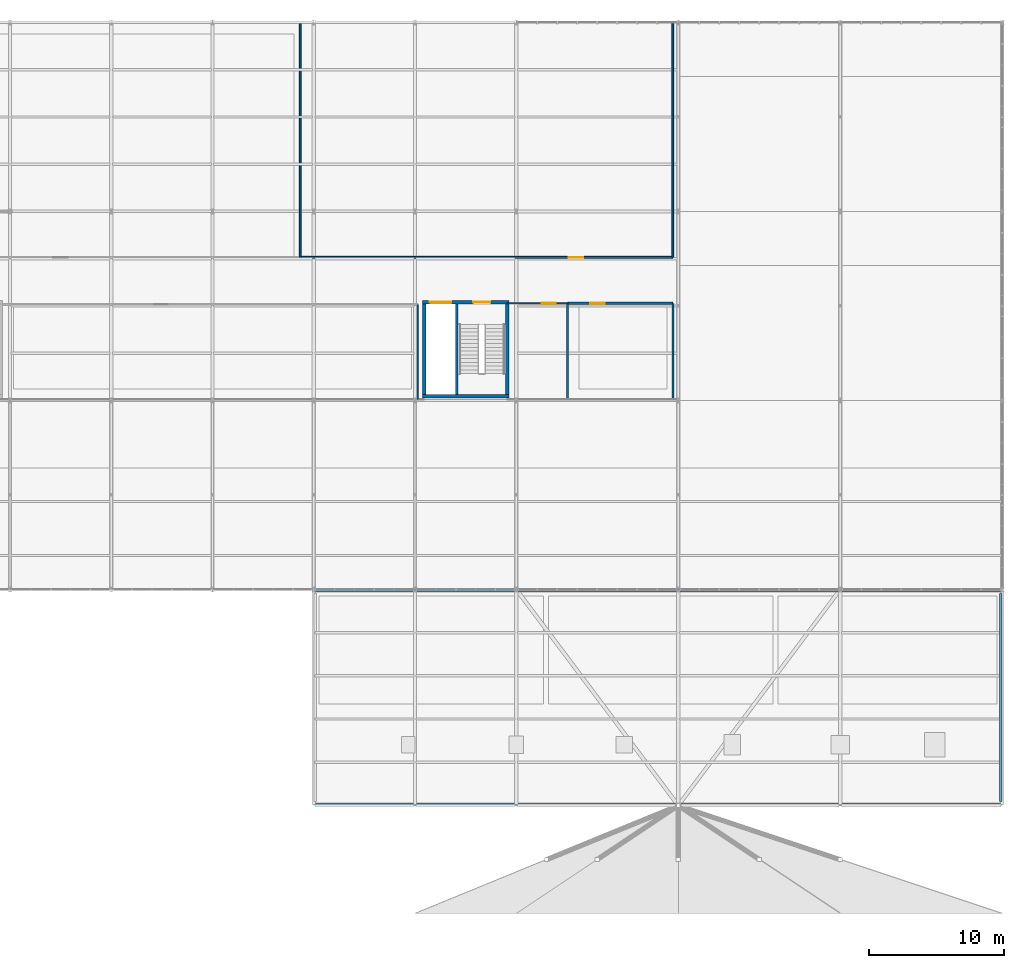
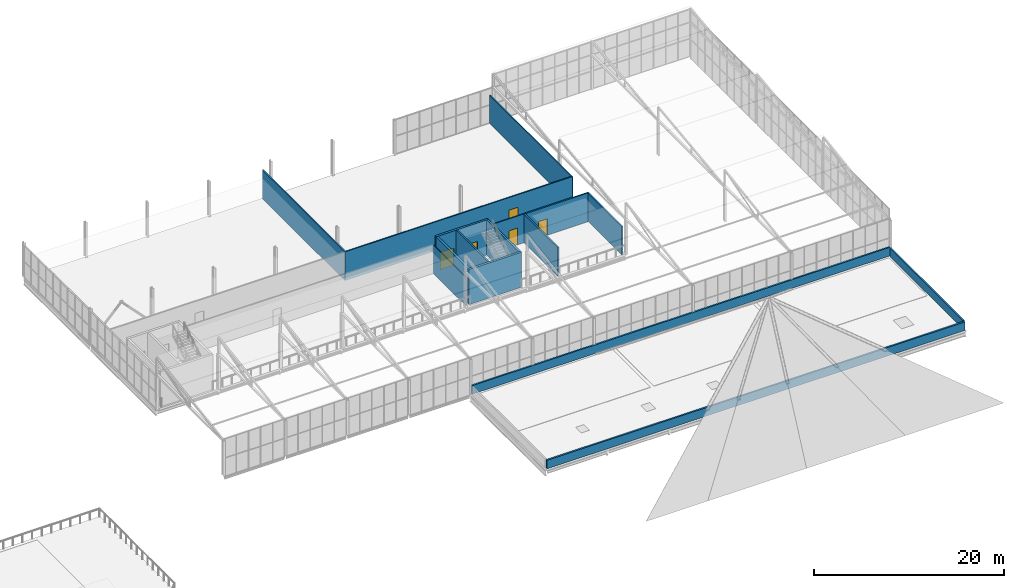
# One storey, part 98 of 104: 16 walls, 5 doors, 5 openings.
"""IFC4 building model written with IfcOpenShell, lengths in metres."""

from ifc_helpers import new_model, si_unit, direction, frame, frame_2d, origin, place, context, subcontext, project, spatial, rectangle, extrude, material, layer, layer_set, type_object, element, fill, save


model = new_model("IFC4")

# Units and contexts
model_context = context("Model", 3, precision=1e-05, world=origin(), true_north=direction((0.0, 1.0)))
body_context = subcontext(model_context, "Body", "Model", "MODEL_VIEW")
ifc_project = project(units=[si_unit("LENGTHUNIT", "METRE"), si_unit("AREAUNIT", "SQUARE_METRE"), si_unit("VOLUMEUNIT", "CUBIC_METRE"), si_unit("PLANEANGLEUNIT", "RADIAN"), si_unit("MASSUNIT", "GRAM", prefix="KILO")], contexts=[model_context])

# Site, building, storey
site_placement = place(None, origin())
site = spatial("IfcSite", under=ifc_project, at=site_placement, CompositionType="ELEMENT")
building_placement = place(site_placement, origin())
building = spatial("IfcBuilding", under=site, at=building_placement, Name="Solvenia Promenade Tram Depot", CompositionType="ELEMENT")
storey_placement = place(building_placement, frame((0.0, 0.0, 9.0)))
storey = spatial("IfcBuildingStorey", under=building, at=storey_placement, Name="L02", CompositionType="ELEMENT", Elevation=9.0)

# Wall
ifc_material_1 = material(Name="Concrete C28/35", Category="concrete")
ifc_layer_1 = layer(ifc_material_1, 0.25, Name="Concrete C28/35", Category="concrete")
ifc_layer_set_1 = layer_set([ifc_layer_1], Name="Concrete C28/35")
wall_type_1 = type_object("IfcWallType", Name="Wall-Core-250", PredefinedType="SHEAR", material=ifc_layer_set_1)
wall_1_placement = place(storey_placement, frame((143.050048828125, 38.324951171875, 0.0), z_axis=(0.0, 0.0, 1.0), x_axis=(1.0, 0.0, 0.0)))
element("IfcWall", 1, at=wall_1_placement, inside=storey, type_object=wall_type_1, Name="Core C6 Shear Wall WC-C6-L02-S", PredefinedType="SHEAR", context=body_context, shape_type="SweptSolid", body=[
    extrude(rectangle(XDim=6.39990234375, YDim=0.25, at=frame_2d((3.199951171875, 0.0))), origin(), (0.0, 0.0, 1.0), 4.5),
])

# Wall, openings, doors
wall_2_placement = place(storey_placement, frame((143.050048828125, 45.27490234375, 0.0), z_axis=(0.0, 0.0, 1.0), x_axis=(1.0, 0.0, 0.0)))
wall_2 = element("IfcWall", 2, at=wall_2_placement, inside=storey, type_object=wall_type_1, Name="Core C6 Shear Wall WC-C6-L02-N", PredefinedType="SHEAR", context=body_context, shape_type="SweptSolid", body=[
    extrude(rectangle(XDim=6.39990234375, YDim=0.25, at=frame_2d((3.199951171875, 0.0))), origin(), (0.0, 0.0, 1.0), 4.5),
])
opening_1_placement = place(wall_2_placement, frame((0.550048828125, 0.0, 0.0)))
opening_1 = element("IfcOpeningElement", 3, at=opening_1_placement, cuts=wall_2, Name="Opening LD-06", PredefinedType="OPENING", context=body_context, shape_type="SweptSolid", body=[
    extrude(rectangle(XDim=1.60009765625, YDim=2.25, at=frame_2d((0.800048828125, 1.125))), frame((0.0, 0.135009765625, 0.0), z_axis=(0.0, -1.0, 0.0), x_axis=(1.0, 0.0, 0.0)), (0.0, 0.0, 1.0), 0.27001953125),
])
opening_2_placement = place(wall_2_placement, frame((3.77490234375, 0.0, 0.0)))
opening_2 = element("IfcOpeningElement", 4, at=opening_2_placement, cuts=wall_2, Name="Opening D-FD90", PredefinedType="OPENING", context=body_context, shape_type="SweptSolid", body=[
    extrude(rectangle(XDim=1.25, YDim=2.14990234375, at=frame_2d((0.625, 1.074951171875))), frame((0.0, 0.135009765625, 0.0), z_axis=(0.0, -1.0, 0.0), x_axis=(1.0, 0.0, 0.0)), (0.0, 0.0, 1.0), 0.27001953125),
])
ifc_material_2 = material(Name="Galvanized painted sheet steel", Category="steel")
door_type_1 = type_object("IfcDoorType", Name="Door-Lift-Goods-1600", OperationType="DOUBLE_DOOR_SLIDING", PredefinedType="DOOR", material=ifc_material_2)
door_1_placement = place(opening_1_placement, origin())
door_1 = element("IfcDoor", 5, at=door_1_placement, inside=storey, type_object=door_type_1, Name="Lift Landing Door LG-02 L02", OperationType="DOUBLE_DOOR_SLIDING", OverallHeight=2.25, OverallWidth=1.60009765625, PredefinedType="DOOR", context=body_context, shape_type="SweptSolid", body=[
    extrude(rectangle(XDim=1.60009765625, YDim=2.25, at=frame_2d((0.800048828125, 1.125))), frame((0.0, 0.02490234375, 0.0), z_axis=(0.0, -1.0, 0.0), x_axis=(1.0, 0.0, 0.0)), (0.0, 0.0, 1.0), 0.050048828125),
])
fill(opening_1, door_1)
door_type_2 = type_object("IfcDoorType", Name="Door-Stair-FD90", OperationType="NOTDEFINED", PredefinedType="DOOR", material=ifc_material_2)
door_2_placement = place(opening_2_placement, frame((1.25, 0.0, 0.0), z_axis=(0.0, 0.0, 1.0), x_axis=(-1.0, 0.0, 0.0)))
door_2 = element("IfcDoor", 6, at=door_2_placement, inside=storey, type_object=door_type_2, Name="Exit Stair Door C6 L02", OperationType="SINGLE_SWING_RIGHT", OverallHeight=2.14990234375, OverallWidth=1.25, PredefinedType="DOOR", context=body_context, shape_type="SweptSolid", body=[
    extrude(rectangle(XDim=1.25, YDim=2.14990234375, at=frame_2d((0.625, 1.074951171875))), frame((0.0, 0.02490234375, 0.0), z_axis=(0.0, -1.0, 0.0), x_axis=(1.0, 0.0, 0.0)), (0.0, 0.0, 1.0), 0.050048828125),
])
fill(opening_2, door_2)

# Walls
for number, where, z_axis, x_axis, name in (
    (7, (143.175048828125, 38.449951171875, 0.0), (0.0, 0.0, 1.0), (0.0, 1.0, 0.0), "Core C6 Shear Wall WC-C6-L02-W"),
    (8, (149.324951171875, 38.449951171875, 0.0), (0.0, 0.0, 1.0), (0.0, 1.0, 0.0), "Core C6 Shear Wall WC-C6-L02-E"),
):
    element("IfcWall", number, at=place(storey_placement, frame(where, z_axis=z_axis, x_axis=x_axis)), inside=storey, type_object=wall_type_1, Name=name, PredefinedType="SHEAR", context=body_context, shape_type="SweptSolid", body=[
        extrude(rectangle(XDim=6.699951171875, YDim=0.25, at=frame_2d((3.35009765625, 0.0))), origin(), (0.0, 0.0, 1.0), 4.5),
    ])
ifc_material_3 = material(Name="Concrete blockwork masonry", Category="masonry")
ifc_layer_2 = layer(ifc_material_3, 0.14501953125, Name="Concrete blockwork masonry", Category="masonry")
ifc_layer_set_2 = layer_set([ifc_layer_2], Name="Concrete blockwork masonry")
wall_type_2 = type_object("IfcWallType", Name="Wall-Masonry-145", PredefinedType="PARTITIONING", material=ifc_layer_set_2)
wall_3_placement = place(storey_placement, frame((134.0, 48.60009765625, 0.0), z_axis=(0.0, 0.0, 1.0), x_axis=(0.0, 1.0, 0.0)))
element("IfcWall", 9, at=wall_3_placement, inside=storey, type_object=wall_type_2, Name="Signalling Laboratory Dividing Wall WP-L02-101", PredefinedType="PARTITIONING", context=body_context, shape_type="SweptSolid", body=[
    extrude(rectangle(XDim=17.31982421875, YDim=0.14501953125, at=frame_2d((8.659912109375, 0.0))), origin(), (0.0, 0.0, 1.0), 3.699951171875),
])

# Wall, opening, door
wall_4_placement = place(storey_placement, frame((134.0, 48.60009765625, 0.0), z_axis=(0.0, 0.0, 1.0), x_axis=(1.0, 0.0, 0.0)))
wall_4 = element("IfcWall", 10, at=wall_4_placement, inside=storey, type_object=wall_type_2, Name="Pantograph Workshop Partition WP-L02-102", PredefinedType="PARTITIONING", context=body_context, shape_type="SweptSolid", body=[
    extrude(rectangle(XDim=27.60009765625, YDim=0.14501953125, at=frame_2d((13.800048828125, 0.0))), origin(), (0.0, 0.0, 1.0), 3.699951171875),
])
opening_3_placement = place(wall_4_placement, frame((19.875, 0.0, 0.0)))
opening_3 = element("IfcOpeningElement", 11, at=opening_3_placement, cuts=wall_4, Name="Opening DR-16", PredefinedType="OPENING", context=body_context, shape_type="SweptSolid", body=[
    extrude(rectangle(XDim=1.10009765625, YDim=2.080078125, at=frame_2d((0.550048828125, 1.0400390625))), frame((0.0, 0.08251953125, 0.0), z_axis=(0.0, -1.0, 0.0), x_axis=(1.0, 0.0, 0.0)), (0.0, 0.0, 1.0), 0.1650390625),
])
door_type_3 = type_object("IfcDoorType", Name="Door-Room-1100x2080", OperationType="NOTDEFINED", PredefinedType="DOOR", material=ifc_material_2)
door_3_placement = place(opening_3_placement, origin())
door_3 = element("IfcDoor", 12, at=door_3_placement, inside=storey, type_object=door_type_3, Name="Door to Pantograph Workshop", OperationType="SINGLE_SWING_RIGHT", OverallHeight=2.080078125, OverallWidth=1.10009765625, PredefinedType="DOOR", context=body_context, shape_type="SweptSolid", body=[
    extrude(rectangle(XDim=1.10009765625, YDim=2.080078125, at=frame_2d((0.550048828125, 1.0400390625))), frame((0.0, 0.02490234375, 0.0), z_axis=(0.0, -1.0, 0.0), x_axis=(1.0, 0.0, 0.0)), (0.0, 0.0, 1.0), 0.050048828125),
])
fill(opening_3, door_3)

# Walls
ifc_layer_3 = layer(ifc_material_3, 0.159912109375, Name="Concrete blockwork masonry", Category="masonry")
ifc_layer_set_3 = layer_set([ifc_layer_3], Name="Concrete blockwork masonry")
wall_type_3 = type_object("IfcWallType", Name="Wall-Masonry-160", PredefinedType="PARTITIONING", material=ifc_layer_set_3)
wall_5_placement = place(storey_placement, frame((161.60009765625, 38.080078125, 0.0), z_axis=(0.0, 0.0, 1.0), x_axis=(0.0, 1.0, 0.0)))
element("IfcWall", 13, at=wall_5_placement, inside=storey, type_object=wall_type_3, Name="Rolling Stock Technical Library Dividing Wall WP-L02-099", PredefinedType="PARTITIONING", context=body_context, shape_type="SweptSolid", body=[
    extrude(rectangle(XDim=7.119873046875, YDim=0.159912109375, at=frame_2d((3.56005859375, 0.0))), origin(), (0.0, 0.0, 1.0), 3.633056640625),
])
ifc_layer_4 = layer(ifc_material_3, 0.175048828125, Name="Concrete blockwork masonry", Category="masonry")
ifc_layer_set_4 = layer_set([ifc_layer_4], Name="Concrete blockwork masonry")
wall_type_4 = type_object("IfcWallType", Name="Wall-Masonry-175", PredefinedType="PARTITIONING", material=ifc_layer_set_4)
wall_6_placement = place(storey_placement, frame((153.800048828125, 38.080078125, 0.0), z_axis=(0.0, 0.0, 1.0), x_axis=(0.0, 1.0, 0.0)))
element("IfcWall", 14, at=wall_6_placement, inside=storey, type_object=wall_type_4, Name="Second Floor Lab Accessible WC Dividing Wall WP-L02-097", PredefinedType="PARTITIONING", context=body_context, shape_type="SweptSolid", body=[
    extrude(rectangle(XDim=7.119873046875, YDim=0.175048828125, at=frame_2d((3.56005859375, 0.0))), origin(), (0.0, 0.0, 1.0), 3.699951171875),
])

# Wall, opening, door
wall_7_placement = place(storey_placement, frame((153.800048828125, 45.199951171875, 0.0), z_axis=(0.0, 0.0, 1.0), x_axis=(1.0, 0.0, 0.0)))
wall_7 = element("IfcWall", 15, at=wall_7_placement, inside=storey, type_object=wall_type_4, Name="Rolling Stock Technical Library Partition WP-L02-098", PredefinedType="PARTITIONING", context=body_context, shape_type="SweptSolid", body=[
    extrude(rectangle(XDim=7.800048828125, YDim=0.175048828125, at=frame_2d((3.89990234375, 0.0))), origin(), (0.0, 0.0, 1.0), 3.699951171875),
])
opening_4_placement = place(wall_7_placement, frame((1.68505859375, 0.0, 0.0)))
opening_4 = element("IfcOpeningElement", 16, at=opening_4_placement, cuts=wall_7, Name="Opening DR-14", PredefinedType="OPENING", context=body_context, shape_type="SweptSolid", body=[
    extrude(rectangle(XDim=1.06005859375, YDim=2.1201171875, at=frame_2d((0.530029296875, 1.06005859375))), frame((0.0, 0.097412109375, 0.0), z_axis=(0.0, -1.0, 0.0), x_axis=(1.0, 0.0, 0.0)), (0.0, 0.0, 1.0), 0.195068359375),
])
door_type_4 = type_object("IfcDoorType", Name="Door-Room-1060x2120", OperationType="NOTDEFINED", PredefinedType="DOOR", material=ifc_material_2)
door_4_placement = place(opening_4_placement, origin())
door_4 = element("IfcDoor", 17, at=door_4_placement, inside=storey, type_object=door_type_4, Name="Door to Rolling Stock Technical Library", OperationType="SINGLE_SWING_RIGHT", OverallHeight=2.1201171875, OverallWidth=1.06005859375, PredefinedType="DOOR", context=body_context, shape_type="SweptSolid", body=[
    extrude(rectangle(XDim=1.06005859375, YDim=2.1201171875, at=frame_2d((0.530029296875, 1.06005859375))), frame((0.0, 0.02490234375, 0.0), z_axis=(0.0, -1.0, 0.0), x_axis=(1.0, 0.0, 0.0)), (0.0, 0.0, 1.0), 0.050048828125),
])
fill(opening_4, door_4)

# Walls
ifc_layer_5 = layer(ifc_material_1, 0.179931640625, Name="Concrete C28/35", Category="concrete")
ifc_layer_set_5 = layer_set([ifc_layer_5], Name="Concrete C28/35")
wall_type_5 = type_object("IfcWallType", Name="Wall-Parapet-180", PredefinedType="PARAPET", material=ifc_layer_set_5)
wall_8_placement = place(storey_placement, frame((185.89990234375, 8.300048828125, 0.0), z_axis=(0.0, 0.0, 1.0), x_axis=(0.0, 1.0, 0.0)))
element("IfcWall", 18, at=wall_8_placement, inside=storey, type_object=wall_type_5, Name="Roof Parapet Wall EW-L02-097", PredefinedType="PARAPET", context=body_context, shape_type="SweptSolid", body=[
    extrude(rectangle(XDim=15.39990234375, YDim=0.179931640625, at=frame_2d((7.699951171875, 0.0))), origin(), (0.0, 0.0, 1.0), 1.10009765625),
])
ifc_layer_6 = layer(ifc_material_1, 0.199951171875, Name="Concrete C28/35", Category="concrete")
ifc_layer_set_6 = layer_set([ifc_layer_6], Name="Concrete C28/35")
wall_type_6 = type_object("IfcWallType", Name="Wall-Parapet-200", PredefinedType="PARAPET", material=ifc_layer_set_6)
for number, where, z_axis, x_axis, name in (
    (19, (135.10009765625, 8.10009765625, 0.0), (0.0, 0.0, 1.0), (1.0, 0.0, 0.0), "Roof Parapet Wall EW-L02-096"),
    (20, (185.89990234375, 23.89990234375, 0.0), (0.0, 0.0, 1.0), (-1.0, 0.0, 0.0), "Roof Parapet Wall EW-L02-098"),
):
    element("IfcWall", number, at=place(storey_placement, frame(where, z_axis=z_axis, x_axis=x_axis)), inside=storey, type_object=wall_type_6, Name=name, PredefinedType="PARAPET", context=body_context, shape_type="SweptSolid", body=[
        extrude(rectangle(XDim=50.7998046875, YDim=0.199951171875, at=frame_2d((25.39990234375, 0.0))), origin(), (0.0, 0.0, 1.0), 1.10009765625),
    ])
ifc_material_4 = material(Name="Gypsum board acoustic partition", Category="other")
ifc_layer_7 = layer(ifc_material_4, 0.1298828125, Name="Gypsum board acoustic partition", Category="other")
ifc_layer_set_7 = layer_set([ifc_layer_7], Name="Gypsum board acoustic partition")
wall_type_7 = type_object("IfcWallType", Name="Wall-Part-130", PredefinedType="PARTITIONING", material=ifc_layer_set_7)
wall_9_placement = place(storey_placement, frame((161.60009765625, 48.60009765625, 0.0), z_axis=(0.0, 0.0, 1.0), x_axis=(0.0, 1.0, 0.0)))
element("IfcWall", 21, at=wall_9_placement, inside=storey, type_object=wall_type_7, Name="Pantograph Workshop Dividing Wall WP-L02-103", PredefinedType="PARTITIONING", context=body_context, shape_type="SweptSolid", body=[
    extrude(rectangle(XDim=17.31982421875, YDim=0.1298828125, at=frame_2d((8.659912109375, 0.0))), origin(), (0.0, 0.0, 1.0), 3.633056640625),
])
ifc_layer_8 = layer(ifc_material_4, 0.097900390625, Name="Gypsum board acoustic partition", Category="other")
ifc_layer_set_8 = layer_set([ifc_layer_8], Name="Gypsum board acoustic partition")
wall_type_8 = type_object("IfcWallType", Name="Wall-Part-98", PredefinedType="PARTITIONING", material=ifc_layer_set_8)
wall_10_placement = place(storey_placement, frame((142.699951171875, 38.080078125, 0.0), z_axis=(0.0, 0.0, 1.0), x_axis=(0.0, 1.0, 0.0)))
element("IfcWall", 22, at=wall_10_placement, inside=storey, type_object=wall_type_8, Name="Metrology Calibration Room Dividing Wall WP-L02-095", PredefinedType="PARTITIONING", context=body_context, shape_type="SweptSolid", body=[
    extrude(rectangle(XDim=7.02001953125, YDim=0.097900390625, at=frame_2d((3.510009765625, 0.0))), origin(), (0.0, 0.0, 1.0), 3.633056640625),
])

# Wall, opening, door
wall_11_placement = place(storey_placement, frame((149.324951171875, 45.199951171875, 0.0), z_axis=(0.0, 0.0, 1.0), x_axis=(1.0, 0.0, 0.0)))
wall_11 = element("IfcWall", 23, at=wall_11_placement, inside=storey, type_object=wall_type_8, Name="Second Floor Lab Accessible WC Partition WP-L02-096", PredefinedType="PARTITIONING", context=body_context, shape_type="SweptSolid", body=[
    extrude(rectangle(XDim=4.47509765625, YDim=0.097900390625, at=frame_2d((2.237548828125, 0.0))), origin(), (0.0, 0.0, 1.0), 3.699951171875),
])
opening_5_placement = place(wall_11_placement, frame((2.575927734375, 0.0, 0.0)))
opening_5 = element("IfcOpeningElement", 24, at=opening_5_placement, cuts=wall_11, Name="Opening DR-13", PredefinedType="OPENING", context=body_context, shape_type="SweptSolid", body=[
    extrude(rectangle(XDim=1.0400390625, YDim=2.14990234375, at=frame_2d((0.52001953125, 1.074951171875))), frame((0.0, 0.058837890625, 0.0), z_axis=(0.0, -1.0, 0.0), x_axis=(1.0, 0.0, 0.0)), (0.0, 0.0, 1.0), 0.117919921875),
])
door_type_5 = type_object("IfcDoorType", Name="Door-Room-1040x2150", OperationType="NOTDEFINED", PredefinedType="DOOR", material=ifc_material_2)
door_5_placement = place(opening_5_placement, origin())
door_5 = element("IfcDoor", 25, at=door_5_placement, inside=storey, type_object=door_type_5, Name="Door to Second Floor Lab Accessible WC", OperationType="SINGLE_SWING_LEFT", OverallHeight=2.14990234375, OverallWidth=1.0400390625, PredefinedType="DOOR", context=body_context, shape_type="SweptSolid", body=[
    extrude(rectangle(XDim=1.0400390625, YDim=2.14990234375, at=frame_2d((0.52001953125, 1.074951171875))), frame((0.0, 0.02490234375, 0.0), z_axis=(0.0, -1.0, 0.0), x_axis=(1.0, 0.0, 0.0)), (0.0, 0.0, 1.0), 0.050048828125),
])
fill(opening_5, door_5)

# Wall
ifc_layer_9 = layer(ifc_material_1, 0.199951171875, Name="Concrete C28/35", Category="concrete")
ifc_layer_set_9 = layer_set([ifc_layer_9], Name="Concrete C28/35")
wall_type_9 = type_object("IfcWallType", Name="Wall-Shaft-200", PredefinedType="SHEAR", material=ifc_layer_set_9)
wall_12_placement = place(storey_placement, frame((145.60009765625, 38.449951171875, 0.0), z_axis=(0.0, 0.0, 1.0), x_axis=(0.0, 1.0, 0.0)))
element("IfcWall", 26, at=wall_12_placement, inside=storey, type_object=wall_type_9, Name="Core C6 Shear Wall WC-C6-L02-DIV", PredefinedType="SHEAR", context=body_context, shape_type="SweptSolid", body=[
    extrude(rectangle(XDim=6.699951171875, YDim=0.199951171875, at=frame_2d((3.35009765625, 0.0))), origin(), (0.0, 0.0, 1.0), 4.5),
])

save(model, "model.ifc")
